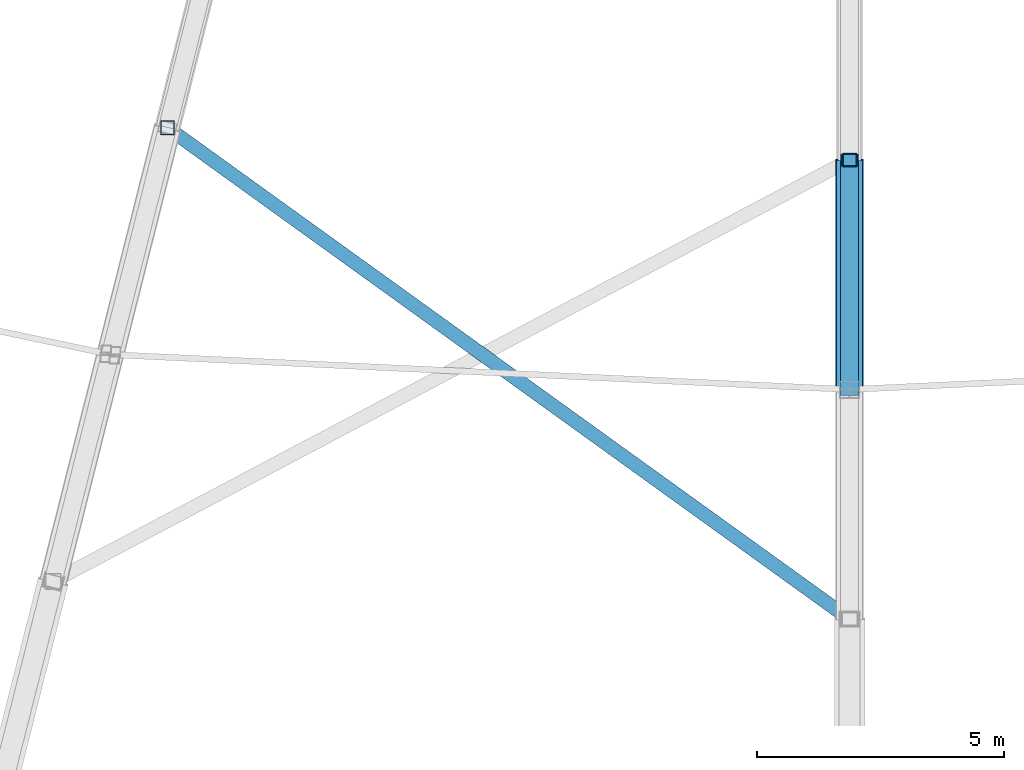
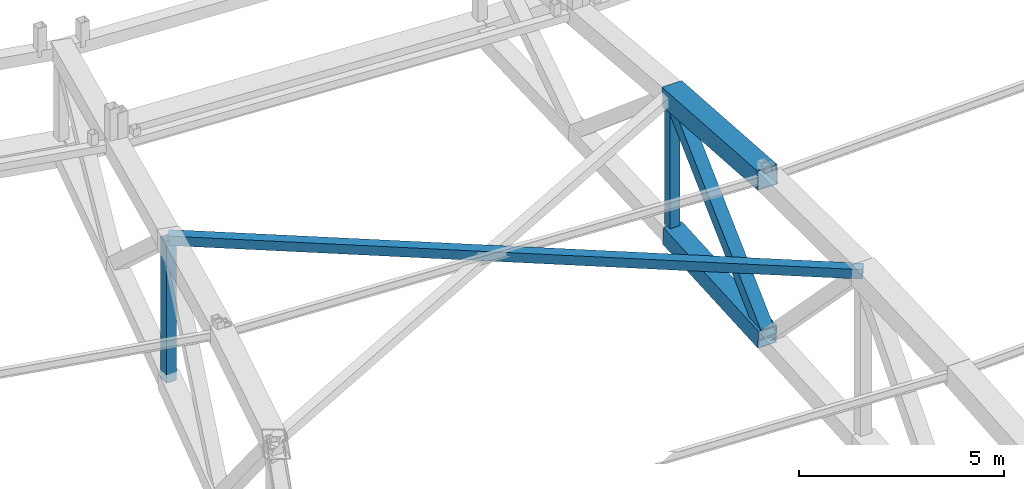
# One storey, part 28 of 162: 6 members.
"""IFC4 building model written with IfcOpenShell, lengths in metres."""

from ifc_helpers import new_model, si_unit, direction, frame, origin, origin_2d, place, context, subcontext, project, spatial, hollow_rectangle, extrude, material, material_profile, profile_set, type_object, element, save


model = new_model("IFC4")

# Units and contexts
model_context = context("Model", 3, precision=1e-05, world=origin(), true_north=direction((0.0, 1.0)))
body_context = subcontext(model_context, "Body", "Model", "MODEL_VIEW")
ifc_project = project(units=[si_unit("LENGTHUNIT", "METRE"), si_unit("AREAUNIT", "SQUARE_METRE"), si_unit("VOLUMEUNIT", "CUBIC_METRE"), si_unit("PLANEANGLEUNIT", "RADIAN"), si_unit("MASSUNIT", "GRAM", prefix="KILO")], contexts=[model_context])

# Site, building, storey
site_placement = place(None, origin())
site = spatial("IfcSite", under=ifc_project, at=site_placement, CompositionType="ELEMENT")
building_placement = place(site_placement, origin())
building = spatial("IfcBuilding", under=site, at=building_placement, Name="Kazemori Nagisa Stadium", CompositionType="ELEMENT")
storey_placement = place(building_placement, frame((0.0, 0.0, 36.719970703125)))
storey = spatial("IfcBuildingStorey", under=building, at=storey_placement, Name="RF", CompositionType="ELEMENT", Elevation=36.719970703125)

# Members
ifc_material = material(Name="Steel STKR490", Category="steel")
ifc_material_profile_1 = material_profile(ifc_material, hollow_rectangle(XDim=0.280029296875, YDim=0.280029296875, WallThickness=0.010009765625, at=origin_2d()), Name="SHS-280x280x10")
ifc_profile_set_1 = profile_set([ifc_material_profile_1], Name="Steel STKR490")
member_type_1 = type_object("IfcMemberType", Name="Member_TB-SHS280", PredefinedType="BRACE", material=ifc_profile_set_1)
member_1_placement = place(storey_placement, frame((123.0, 37.327880859375, 6.130126953125), z_axis=(-0.811337445406, 0.584466699066, -0.011411720553), x_axis=(-0.584504759562, -0.811390279735, 0.0)))
element("IfcMember", 1, at=member_1_placement, inside=storey, type_object=member_type_1, Name="Roof space truss plan brace B21-2", PredefinedType="BRACE", context=body_context, shape_type="SweptSolid", body=[
    extrude(hollow_rectangle(XDim=0.280029296875, YDim=0.280029296875, WallThickness=0.010009765625, at=origin_2d()), origin(), (0.0, 0.0, 1.0), 17.008056640625),
])
ifc_material_profile_2 = material_profile(ifc_material, hollow_rectangle(XDim=0.360107421875, YDim=0.360107421875, WallThickness=0.013916015625, at=origin_2d()), Name="SHS-360x360x14")
ifc_profile_set_2 = profile_set([ifc_material_profile_2], Name="Steel STKR490")
member_type_2 = type_object("IfcMemberType", Name="Member_TB-SHS360", PredefinedType="BRACE", material=ifc_profile_set_2)
member_2_placement = place(storey_placement, frame((123.0, 41.971923828125, 1.360107421875), z_axis=(0.0, 0.724369724626, 0.689411707215), x_axis=(-1.0, 0.0, 0.0)))
element("IfcMember", 2, at=member_2_placement, inside=storey, type_object=member_type_2, Name="Roof space truss diagonal RT-22-7", PredefinedType="BRACE", context=body_context, shape_type="SweptSolid", body=[
    extrude(hollow_rectangle(XDim=0.360107421875, YDim=0.360107421875, WallThickness=0.013916015625, at=origin_2d()), origin(), (0.0, 0.0, 1.0), 6.4111328125),
])
ifc_material_profile_3 = material_profile(ifc_material, hollow_rectangle(XDim=0.52001953125, YDim=0.52001953125, WallThickness=0.01904296875, at=origin_2d()), Name="SHS-520x520x19")
ifc_profile_set_3 = profile_set([ifc_material_profile_3], Name="Steel STKR490")
member_type_3 = type_object("IfcMemberType", Name="Member_TC-SHS520", PredefinedType="CHORD", material=ifc_profile_set_3)
member_3_placement = place(storey_placement, frame((123.0, 41.971923828125, 1.360107421875), z_axis=(0.0, 0.99818698182, 0.060189279158), x_axis=(-1.0, 0.0, 0.0)))
element("IfcMember", 3, at=member_3_placement, inside=storey, type_object=member_type_3, Name="Roof space truss bottom chord RT-22-7", PredefinedType="CHORD", context=body_context, shape_type="SweptSolid", body=[
    extrude(hollow_rectangle(XDim=0.52001953125, YDim=0.52001953125, WallThickness=0.01904296875, at=origin_2d()), origin(), (0.0, 0.0, 1.0), 4.652587890625),
])
ifc_material_profile_4 = material_profile(ifc_material, hollow_rectangle(XDim=0.56005859375, YDim=0.56005859375, WallThickness=0.02001953125, at=origin_2d()), Name="SHS-560x560x20")
ifc_profile_set_4 = profile_set([ifc_material_profile_4], Name="Steel STKR490")
member_type_4 = type_object("IfcMemberType", Name="Member_TC-SHS560", PredefinedType="CHORD", material=ifc_profile_set_4)
member_4_placement = place(storey_placement, frame((123.0, 41.971923828125, 6.10498046875), z_axis=(0.0, 0.997560939403, -0.069800946817), x_axis=(-1.0, 0.0, 0.0)))
element("IfcMember", 4, at=member_4_placement, inside=storey, type_object=member_type_4, Name="Roof space truss top chord RT-22-7", PredefinedType="CHORD", context=body_context, shape_type="SweptSolid", body=[
    extrude(hollow_rectangle(XDim=0.56005859375, YDim=0.56005859375, WallThickness=0.02001953125, at=origin_2d()), origin(), (0.0, 0.0, 1.0), 4.655517578125),
])
ifc_material_profile_5 = material_profile(ifc_material, hollow_rectangle(XDim=0.280029296875, YDim=0.280029296875, WallThickness=0.010009765625, at=origin_2d()), Name="SHS-280x280x10")
ifc_profile_set_5 = profile_set([ifc_material_profile_5], Name="Steel STKR490")
member_type_5 = type_object("IfcMemberType", Name="Member_TS-SHS280", PredefinedType="STRUT", material=ifc_profile_set_5)
member_5_placement = place(storey_placement, frame((109.20068359375, 47.2685546875, 1.72900390625), z_axis=(0.0, 0.0, 1.0), x_axis=(1.0, 0.0, 0.0)))
element("IfcMember", 5, at=member_5_placement, inside=storey, type_object=member_type_5, Name="Roof space truss strut RT-21-8", PredefinedType="STRUT", context=body_context, shape_type="SweptSolid", body=[
    extrude(hollow_rectangle(XDim=0.280029296875, YDim=0.280029296875, WallThickness=0.010009765625, at=origin_2d()), origin(), (0.0, 0.0, 1.0), 4.20703125),
])
member_6_placement = place(storey_placement, frame((123.0, 46.615966796875, 1.64013671875), z_axis=(0.0, 0.0, 1.0), x_axis=(1.0, 0.0, 0.0)))
element("IfcMember", 6, at=member_6_placement, inside=storey, type_object=member_type_5, Name="Roof space truss strut RT-22-8", PredefinedType="STRUT", context=body_context, shape_type="SweptSolid", body=[
    extrude(hollow_rectangle(XDim=0.280029296875, YDim=0.280029296875, WallThickness=0.010009765625, at=origin_2d()), origin(), (0.0, 0.0, 1.0), 4.139892578125),
])

save(model, "model.ifc")
